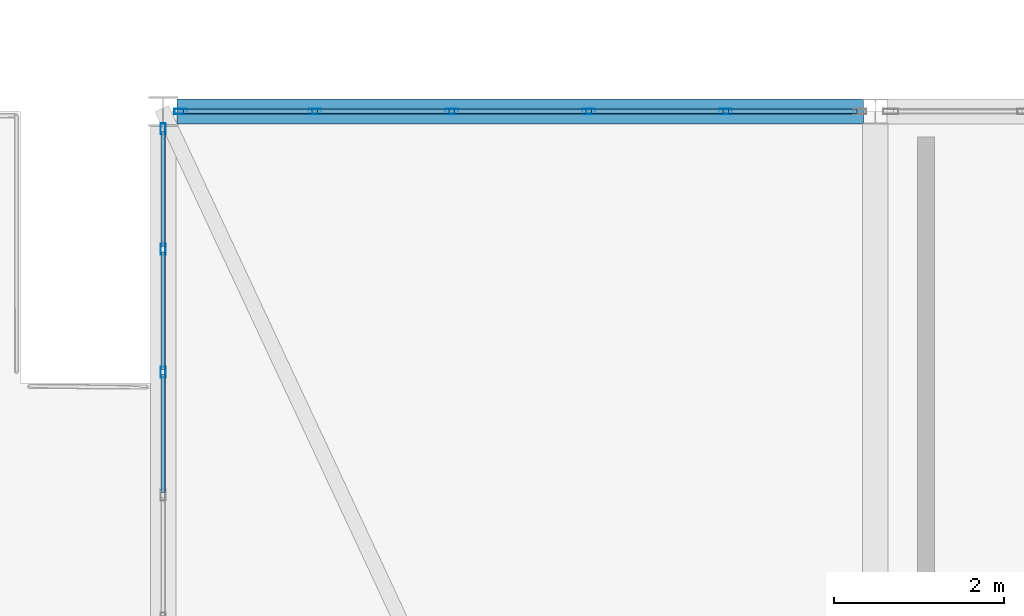
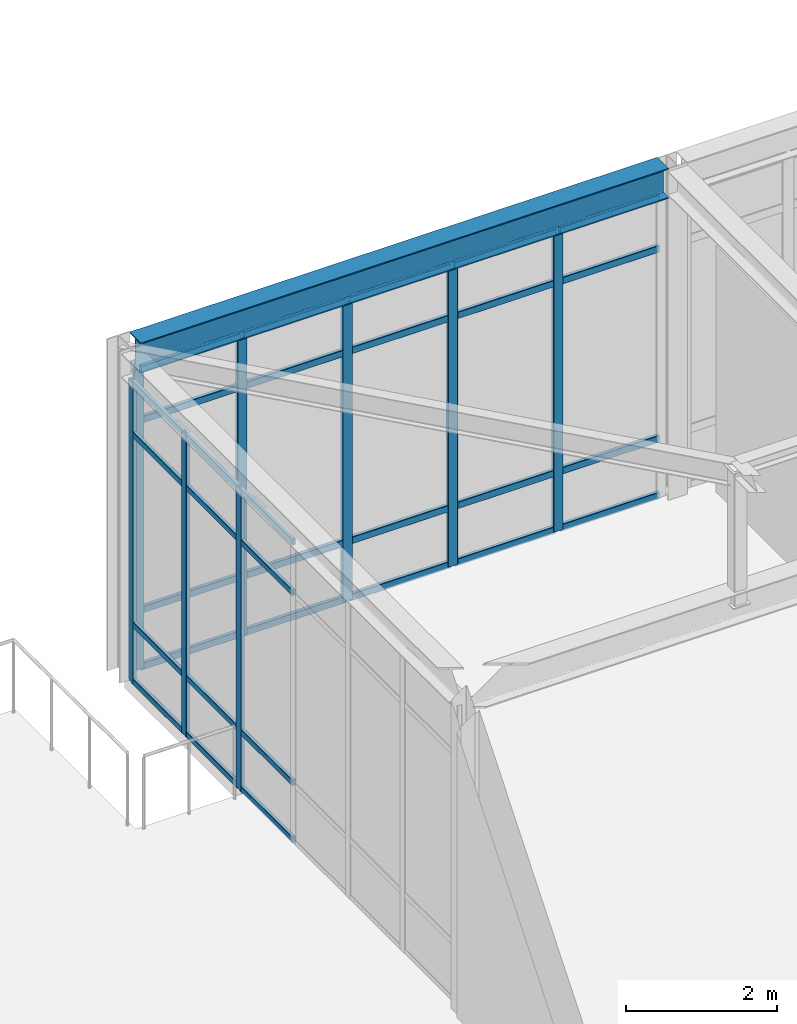
# One storey, part 66 of 121: 40 members, 1 beam, 2 elements without a shape of their own.
"""IFC4 building model written with IfcOpenShell, lengths in metres."""

from ifc_helpers import new_model, si_unit, direction, frame, origin, origin_2d, place, context, subcontext, project, spatial, hollow_rectangle, i_section, extrude, material, material_profile, profile_set, type_object, element, aggregate, save


model = new_model("IFC4")

# Units and contexts
model_context = context("Model", 3, precision=1e-05, world=origin(), true_north=direction((0.0, 1.0)))
body_context = subcontext(model_context, "Body", "Model", "MODEL_VIEW")
ifc_project = project(units=[si_unit("LENGTHUNIT", "METRE"), si_unit("AREAUNIT", "SQUARE_METRE"), si_unit("VOLUMEUNIT", "CUBIC_METRE"), si_unit("PLANEANGLEUNIT", "RADIAN"), si_unit("MASSUNIT", "GRAM", prefix="KILO")], contexts=[model_context])

# Site, building, storey
site_placement = place(None, origin())
site = spatial("IfcSite", under=ifc_project, at=site_placement, CompositionType="ELEMENT")
building_placement = place(site_placement, origin())
building = spatial("IfcBuilding", under=site, at=building_placement, Name="Canglan Escarpment Cableway Terminal", CompositionType="ELEMENT")
storey_placement = place(building_placement, frame((0.0, 0.0, 24.60009765625)))
storey = spatial("IfcBuildingStorey", under=building, at=storey_placement, Name="L05", CompositionType="ELEMENT", Elevation=24.60009765625)

# Beam
ifc_material_1 = material(Name="Steel Q355B", Category="steel")
ifc_material_profile_1 = material_profile(ifc_material_1, i_section(OverallWidth=0.300048828125, OverallDepth=0.488037109375, WebThickness=0.010986328125, FlangeThickness=0.01806640625, FilletRadius=0.02587890625, at=origin_2d()), Name="HM 488x300x11x18")
ifc_profile_set_1 = profile_set([ifc_material_profile_1], Name="Steel Q355B")
beam_type = type_object("IfcBeamType", Name="BM-HM488", PredefinedType="BEAM", material=ifc_profile_set_1)
beam_placement = place(storey_placement, frame((120.06494140625, 115.0, 5.139892578125), z_axis=(1.0, 0.0, 0.0), x_axis=(0.0, 1.0, 0.0)))
element("IfcBeam", 1, at=beam_placement, inside=storey, type_object=beam_type, Name="Drive House roof eave tie girder B-09", PredefinedType="BEAM", context=body_context, shape_type="SweptSolid", body=[
    extrude(i_section(OverallWidth=0.300048828125, OverallDepth=0.488037109375, WebThickness=0.010986328125, FlangeThickness=0.01806640625, FilletRadius=0.02587890625, at=origin_2d()), origin(), (0.0, 0.0, 1.0), 8.094970703125),
])

# Curtain wall, members
ifc_material_2 = material(Name="Anodized bronze aluminium and Low-E double glazing", Category="aluminium")
curtain_wall_type_1 = type_object("IfcCurtainWallType", Name="CW-BAY-8700x4875", PredefinedType="NOTDEFINED", material=ifc_material_2)
curtain_wall_1_placement = place(storey_placement, origin())
curtain_wall_1 = element("IfcCurtainWall", 2, at=curtain_wall_1_placement, inside=storey, type_object=curtain_wall_type_1, Name="Classical bay-between-piers glazed curtain wall CW-61", PredefinedType="NOTDEFINED")
ifc_material_3 = material(Name="Thermally broken anodized aluminium 6063-T6", Category="aluminium")
ifc_material_profile_2 = material_profile(ifc_material_3, hollow_rectangle(XDim=0.06005859375, YDim=0.1298828125, WallThickness=0.0029296875, InnerFilletRadius=0.0029296875, OuterFilletRadius=0.006103515625, at=origin_2d()), Name="ALU-MULL 60x130x3")
ifc_profile_set_2 = profile_set([ifc_material_profile_2], Name="Thermally broken anodized aluminium 6063-T6")
member_type_1 = type_object("IfcMemberType", Name="CWM-01", PredefinedType="MULLION", material=ifc_profile_set_2)
member_1_placement = place(storey_placement, frame((119.89990234375, 114.794921875, 0.0), z_axis=(0.0, 0.0, 1.0), x_axis=(1.0, 0.0, 0.0)))
member_1 = element("IfcMember", 3, at=member_1_placement, type_object=member_type_1, Name="CW-61 mullion 1", PredefinedType="MULLION", context=body_context, shape_type="SweptSolid", body=[
    extrude(hollow_rectangle(XDim=0.06005859375, YDim=0.1298828125, WallThickness=0.0029296875, InnerFilletRadius=0.0029296875, OuterFilletRadius=0.006103515625, at=origin_2d()), origin(), (0.0, 0.0, 1.0), 4.880859375),
])
member_2_placement = place(storey_placement, frame((119.89990234375, 113.375, 0.0), z_axis=(0.0, 0.0, 1.0), x_axis=(1.0, 0.0, 0.0)))
member_2 = element("IfcMember", 4, at=member_2_placement, type_object=member_type_1, Name="CW-61 mullion 2", PredefinedType="MULLION", context=body_context, shape_type="SweptSolid", body=[
    extrude(hollow_rectangle(XDim=0.06005859375, YDim=0.1298828125, WallThickness=0.0029296875, InnerFilletRadius=0.0029296875, OuterFilletRadius=0.006103515625, at=origin_2d()), origin(), (0.0, 0.0, 1.0), 4.880859375),
])
member_3_placement = place(storey_placement, frame((119.89990234375, 111.925048828125, 0.0), z_axis=(0.0, 0.0, 1.0), x_axis=(1.0, 0.0, 0.0)))
member_3 = element("IfcMember", 5, at=member_3_placement, type_object=member_type_1, Name="CW-61 mullion 3", PredefinedType="MULLION", context=body_context, shape_type="SweptSolid", body=[
    extrude(hollow_rectangle(XDim=0.06005859375, YDim=0.1298828125, WallThickness=0.0029296875, InnerFilletRadius=0.0029296875, OuterFilletRadius=0.006103515625, at=origin_2d()), origin(), (0.0, 0.0, 1.0), 4.880859375),
])

curtain_wall_type_2 = type_object("IfcCurtainWallType", Name="CW-BAY-8075x4875", PredefinedType="NOTDEFINED", material=ifc_material_2)
curtain_wall_2_placement = place(storey_placement, origin())
curtain_wall_2 = element("IfcCurtainWall", 6, at=curtain_wall_2_placement, inside=storey, type_object=curtain_wall_type_2, Name="Classical bay-between-piers glazed curtain wall CW-59", PredefinedType="NOTDEFINED")
ifc_material_profile_3 = material_profile(ifc_material_3, hollow_rectangle(XDim=0.06494140625, YDim=0.14990234375, WallThickness=0.00341796875, InnerFilletRadius=0.00341796875, OuterFilletRadius=0.007080078125, at=origin_2d()), Name="ALU-MULL 65x150x3.5")
ifc_profile_set_3 = profile_set([ifc_material_profile_3], Name="Thermally broken anodized aluminium 6063-T6")
member_type_2 = type_object("IfcMemberType", Name="CWM-02", PredefinedType="MULLION", material=ifc_profile_set_3)
member_4_placement = place(storey_placement, frame((126.534912109375, 115.0, 0.0), z_axis=(0.0, 0.0, 1.0), x_axis=(0.0, -1.0, 0.0)))
member_4 = element("IfcMember", 7, at=member_4_placement, type_object=member_type_2, Name="CW-59 mullion 2", PredefinedType="MULLION", context=body_context, shape_type="SweptSolid", body=[
    extrude(hollow_rectangle(XDim=0.06494140625, YDim=0.14990234375, WallThickness=0.00341796875, InnerFilletRadius=0.00341796875, OuterFilletRadius=0.007080078125, at=origin_2d()), origin(), (0.0, 0.0, 1.0), 4.880859375),
])
member_5_placement = place(storey_placement, frame((124.919921875, 115.0, 0.0), z_axis=(0.0, 0.0, 1.0), x_axis=(0.0, -1.0, 0.0)))
member_5 = element("IfcMember", 8, at=member_5_placement, type_object=member_type_2, Name="CW-59 mullion 3", PredefinedType="MULLION", context=body_context, shape_type="SweptSolid", body=[
    extrude(hollow_rectangle(XDim=0.06494140625, YDim=0.14990234375, WallThickness=0.00341796875, InnerFilletRadius=0.00341796875, OuterFilletRadius=0.007080078125, at=origin_2d()), origin(), (0.0, 0.0, 1.0), 4.880859375),
])
member_6_placement = place(storey_placement, frame((123.304931640625, 115.0, 0.0), z_axis=(0.0, 0.0, 1.0), x_axis=(0.0, -1.0, 0.0)))
member_6 = element("IfcMember", 9, at=member_6_placement, type_object=member_type_2, Name="CW-59 mullion 4", PredefinedType="MULLION", context=body_context, shape_type="SweptSolid", body=[
    extrude(hollow_rectangle(XDim=0.06494140625, YDim=0.14990234375, WallThickness=0.00341796875, InnerFilletRadius=0.00341796875, OuterFilletRadius=0.007080078125, at=origin_2d()), origin(), (0.0, 0.0, 1.0), 4.880859375),
])
member_7_placement = place(storey_placement, frame((121.68994140625, 115.0, 0.0), z_axis=(0.0, 0.0, 1.0), x_axis=(0.0, -1.0, 0.0)))
member_7 = element("IfcMember", 10, at=member_7_placement, type_object=member_type_2, Name="CW-59 mullion 5", PredefinedType="MULLION", context=body_context, shape_type="SweptSolid", body=[
    extrude(hollow_rectangle(XDim=0.06494140625, YDim=0.14990234375, WallThickness=0.00341796875, InnerFilletRadius=0.00341796875, OuterFilletRadius=0.007080078125, at=origin_2d()), origin(), (0.0, 0.0, 1.0), 4.880859375),
])
member_8_placement = place(storey_placement, frame((120.107421875, 115.0, 0.0), z_axis=(0.0, 0.0, 1.0), x_axis=(0.0, -1.0, 0.0)))
member_8 = element("IfcMember", 11, at=member_8_placement, type_object=member_type_2, Name="CW-59 mullion 6", PredefinedType="MULLION", context=body_context, shape_type="SweptSolid", body=[
    extrude(hollow_rectangle(XDim=0.06494140625, YDim=0.14990234375, WallThickness=0.00341796875, InnerFilletRadius=0.00341796875, OuterFilletRadius=0.007080078125, at=origin_2d()), origin(), (0.0, 0.0, 1.0), 4.880859375),
])

# Member
ifc_material_profile_4 = material_profile(ifc_material_3, hollow_rectangle(XDim=0.054931640625, YDim=0.094970703125, WallThickness=0.0029296875, InnerFilletRadius=0.0029296875, OuterFilletRadius=0.006103515625, at=origin_2d()), Name="ALU-TRAN 55x95x3")
ifc_profile_set_4 = profile_set([ifc_material_profile_4], Name="Thermally broken anodized aluminium 6063-T6")
member_type_3 = type_object("IfcMemberType", Name="CWT-01", PredefinedType="USERDEFINED", material=ifc_profile_set_4)
member_9_placement = place(storey_placement, frame((119.89990234375, 114.764892578125, 0.02734375), z_axis=(0.0, -1.0, 0.0), x_axis=(1.0, 0.0, 0.0)))
member_9 = element("IfcMember", 12, at=member_9_placement, type_object=member_type_3, Name="CW-61 transom 1.1", ObjectType="TRANSOM", PredefinedType="USERDEFINED", context=body_context, shape_type="SweptSolid", body=[
    extrude(hollow_rectangle(XDim=0.054931640625, YDim=0.094970703125, WallThickness=0.0029296875, InnerFilletRadius=0.0029296875, OuterFilletRadius=0.006103515625, at=origin_2d()), origin(), (0.0, 0.0, 1.0), 1.35986328125),
])

member_10_placement = place(storey_placement, frame((119.89990234375, 114.764892578125, 0.949951171875), z_axis=(0.0, -1.0, 0.0), x_axis=(1.0, 0.0, 0.0)))
member_10 = element("IfcMember", 13, at=member_10_placement, type_object=member_type_3, Name="CW-61 transom 1.2", ObjectType="TRANSOM", PredefinedType="USERDEFINED", context=body_context, shape_type="SweptSolid", body=[
    extrude(hollow_rectangle(XDim=0.054931640625, YDim=0.094970703125, WallThickness=0.0029296875, InnerFilletRadius=0.0029296875, OuterFilletRadius=0.006103515625, at=origin_2d()), origin(), (0.0, 0.0, 1.0), 1.35986328125),
])

member_11_placement = place(storey_placement, frame((119.89990234375, 114.764892578125, 4.031005859375), z_axis=(0.0, -1.0, 0.0), x_axis=(1.0, 0.0, 0.0)))
member_11 = element("IfcMember", 14, at=member_11_placement, type_object=member_type_3, Name="CW-61 transom 1.3", ObjectType="TRANSOM", PredefinedType="USERDEFINED", context=body_context, shape_type="SweptSolid", body=[
    extrude(hollow_rectangle(XDim=0.054931640625, YDim=0.094970703125, WallThickness=0.0029296875, InnerFilletRadius=0.0029296875, OuterFilletRadius=0.006103515625, at=origin_2d()), origin(), (0.0, 0.0, 1.0), 1.35986328125),
])

member_12_placement = place(storey_placement, frame((119.89990234375, 114.764892578125, 4.853515625), z_axis=(0.0, -1.0, 0.0), x_axis=(1.0, 0.0, 0.0)))
member_12 = element("IfcMember", 15, at=member_12_placement, type_object=member_type_3, Name="CW-61 transom 1.4", ObjectType="TRANSOM", PredefinedType="USERDEFINED", context=body_context, shape_type="SweptSolid", body=[
    extrude(hollow_rectangle(XDim=0.054931640625, YDim=0.094970703125, WallThickness=0.0029296875, InnerFilletRadius=0.0029296875, OuterFilletRadius=0.006103515625, at=origin_2d()), origin(), (0.0, 0.0, 1.0), 1.35986328125),
])

member_13_placement = place(storey_placement, frame((119.89990234375, 113.344970703125, 0.02734375), z_axis=(0.0, -1.0, 0.0), x_axis=(1.0, 0.0, 0.0)))
member_13 = element("IfcMember", 16, at=member_13_placement, type_object=member_type_3, Name="CW-61 transom 2.1", ObjectType="TRANSOM", PredefinedType="USERDEFINED", context=body_context, shape_type="SweptSolid", body=[
    extrude(hollow_rectangle(XDim=0.054931640625, YDim=0.094970703125, WallThickness=0.0029296875, InnerFilletRadius=0.0029296875, OuterFilletRadius=0.006103515625, at=origin_2d()), origin(), (0.0, 0.0, 1.0), 1.389892578125),
])

member_14_placement = place(storey_placement, frame((119.89990234375, 113.344970703125, 0.949951171875), z_axis=(0.0, -1.0, 0.0), x_axis=(1.0, 0.0, 0.0)))
member_14 = element("IfcMember", 17, at=member_14_placement, type_object=member_type_3, Name="CW-61 transom 2.2", ObjectType="TRANSOM", PredefinedType="USERDEFINED", context=body_context, shape_type="SweptSolid", body=[
    extrude(hollow_rectangle(XDim=0.054931640625, YDim=0.094970703125, WallThickness=0.0029296875, InnerFilletRadius=0.0029296875, OuterFilletRadius=0.006103515625, at=origin_2d()), origin(), (0.0, 0.0, 1.0), 1.389892578125),
])

member_15_placement = place(storey_placement, frame((119.89990234375, 113.344970703125, 4.031005859375), z_axis=(0.0, -1.0, 0.0), x_axis=(1.0, 0.0, 0.0)))
member_15 = element("IfcMember", 18, at=member_15_placement, type_object=member_type_3, Name="CW-61 transom 2.3", ObjectType="TRANSOM", PredefinedType="USERDEFINED", context=body_context, shape_type="SweptSolid", body=[
    extrude(hollow_rectangle(XDim=0.054931640625, YDim=0.094970703125, WallThickness=0.0029296875, InnerFilletRadius=0.0029296875, OuterFilletRadius=0.006103515625, at=origin_2d()), origin(), (0.0, 0.0, 1.0), 1.389892578125),
])

member_16_placement = place(storey_placement, frame((119.89990234375, 113.344970703125, 4.853515625), z_axis=(0.0, -1.0, 0.0), x_axis=(1.0, 0.0, 0.0)))
member_16 = element("IfcMember", 19, at=member_16_placement, type_object=member_type_3, Name="CW-61 transom 2.4", ObjectType="TRANSOM", PredefinedType="USERDEFINED", context=body_context, shape_type="SweptSolid", body=[
    extrude(hollow_rectangle(XDim=0.054931640625, YDim=0.094970703125, WallThickness=0.0029296875, InnerFilletRadius=0.0029296875, OuterFilletRadius=0.006103515625, at=origin_2d()), origin(), (0.0, 0.0, 1.0), 1.389892578125),
])

member_17_placement = place(storey_placement, frame((119.89990234375, 111.89501953125, 0.02734375), z_axis=(0.0, -1.0, 0.0), x_axis=(1.0, 0.0, 0.0)))
member_17 = element("IfcMember", 20, at=member_17_placement, type_object=member_type_3, Name="CW-61 transom 3.1", ObjectType="TRANSOM", PredefinedType="USERDEFINED", context=body_context, shape_type="SweptSolid", body=[
    extrude(hollow_rectangle(XDim=0.054931640625, YDim=0.094970703125, WallThickness=0.0029296875, InnerFilletRadius=0.0029296875, OuterFilletRadius=0.006103515625, at=origin_2d()), origin(), (0.0, 0.0, 1.0), 1.39013671875),
])

member_18_placement = place(storey_placement, frame((119.89990234375, 111.89501953125, 0.949951171875), z_axis=(0.0, -1.0, 0.0), x_axis=(1.0, 0.0, 0.0)))
member_18 = element("IfcMember", 21, at=member_18_placement, type_object=member_type_3, Name="CW-61 transom 3.2", ObjectType="TRANSOM", PredefinedType="USERDEFINED", context=body_context, shape_type="SweptSolid", body=[
    extrude(hollow_rectangle(XDim=0.054931640625, YDim=0.094970703125, WallThickness=0.0029296875, InnerFilletRadius=0.0029296875, OuterFilletRadius=0.006103515625, at=origin_2d()), origin(), (0.0, 0.0, 1.0), 1.39013671875),
])

member_19_placement = place(storey_placement, frame((119.89990234375, 111.89501953125, 4.031005859375), z_axis=(0.0, -1.0, 0.0), x_axis=(1.0, 0.0, 0.0)))
member_19 = element("IfcMember", 22, at=member_19_placement, type_object=member_type_3, Name="CW-61 transom 3.3", ObjectType="TRANSOM", PredefinedType="USERDEFINED", context=body_context, shape_type="SweptSolid", body=[
    extrude(hollow_rectangle(XDim=0.054931640625, YDim=0.094970703125, WallThickness=0.0029296875, InnerFilletRadius=0.0029296875, OuterFilletRadius=0.006103515625, at=origin_2d()), origin(), (0.0, 0.0, 1.0), 1.39013671875),
])

member_20_placement = place(storey_placement, frame((119.89990234375, 111.89501953125, 4.853515625), z_axis=(0.0, -1.0, 0.0), x_axis=(1.0, 0.0, 0.0)))
member_20 = element("IfcMember", 23, at=member_20_placement, type_object=member_type_3, Name="CW-61 transom 3.4", ObjectType="TRANSOM", PredefinedType="USERDEFINED", context=body_context, shape_type="SweptSolid", body=[
    extrude(hollow_rectangle(XDim=0.054931640625, YDim=0.094970703125, WallThickness=0.0029296875, InnerFilletRadius=0.0029296875, OuterFilletRadius=0.006103515625, at=origin_2d()), origin(), (0.0, 0.0, 1.0), 1.39013671875),
])

aggregate(curtain_wall_1, [member_1, member_2, member_3, member_9, member_10, member_11, member_12, member_13, member_14, member_15, member_16, member_17, member_18, member_19, member_20])

ifc_material_profile_5 = material_profile(ifc_material_3, hollow_rectangle(XDim=0.06005859375, YDim=0.110107421875, WallThickness=0.0029296875, InnerFilletRadius=0.0029296875, OuterFilletRadius=0.006103515625, at=origin_2d()), Name="ALU-TRAN 60x110x3")
ifc_profile_set_5 = profile_set([ifc_material_profile_5], Name="Thermally broken anodized aluminium 6063-T6")
member_type_4 = type_object("IfcMemberType", Name="CWT-02", PredefinedType="USERDEFINED", material=ifc_profile_set_5)
member_21_placement = place(storey_placement, frame((128.0849609375, 115.0, 0.02978515625), z_axis=(-1.0, 0.0, 0.0), x_axis=(0.0, -1.0, 0.0)))
member_21 = element("IfcMember", 24, at=member_21_placement, type_object=member_type_4, Name="CW-59 transom 1.1", ObjectType="TRANSOM", PredefinedType="USERDEFINED", context=body_context, shape_type="SweptSolid", body=[
    extrude(hollow_rectangle(XDim=0.06005859375, YDim=0.110107421875, WallThickness=0.0029296875, InnerFilletRadius=0.0029296875, OuterFilletRadius=0.006103515625, at=origin_2d()), origin(), (0.0, 0.0, 1.0), 1.517578125),
])

member_22_placement = place(storey_placement, frame((128.0849609375, 115.0, 0.949951171875), z_axis=(-1.0, 0.0, 0.0), x_axis=(0.0, -1.0, 0.0)))
member_22 = element("IfcMember", 25, at=member_22_placement, type_object=member_type_4, Name="CW-59 transom 1.2", ObjectType="TRANSOM", PredefinedType="USERDEFINED", context=body_context, shape_type="SweptSolid", body=[
    extrude(hollow_rectangle(XDim=0.06005859375, YDim=0.110107421875, WallThickness=0.0029296875, InnerFilletRadius=0.0029296875, OuterFilletRadius=0.006103515625, at=origin_2d()), origin(), (0.0, 0.0, 1.0), 1.517578125),
])

member_23_placement = place(storey_placement, frame((128.0849609375, 115.0, 4.031005859375), z_axis=(-1.0, 0.0, 0.0), x_axis=(0.0, -1.0, 0.0)))
member_23 = element("IfcMember", 26, at=member_23_placement, type_object=member_type_4, Name="CW-59 transom 1.3", ObjectType="TRANSOM", PredefinedType="USERDEFINED", context=body_context, shape_type="SweptSolid", body=[
    extrude(hollow_rectangle(XDim=0.06005859375, YDim=0.110107421875, WallThickness=0.0029296875, InnerFilletRadius=0.0029296875, OuterFilletRadius=0.006103515625, at=origin_2d()), origin(), (0.0, 0.0, 1.0), 1.517578125),
])

member_24_placement = place(storey_placement, frame((128.0849609375, 115.0, 4.850830078125), z_axis=(-1.0, 0.0, 0.0), x_axis=(0.0, -1.0, 0.0)))
member_24 = element("IfcMember", 27, at=member_24_placement, type_object=member_type_4, Name="CW-59 transom 1.4", ObjectType="TRANSOM", PredefinedType="USERDEFINED", context=body_context, shape_type="SweptSolid", body=[
    extrude(hollow_rectangle(XDim=0.06005859375, YDim=0.110107421875, WallThickness=0.0029296875, InnerFilletRadius=0.0029296875, OuterFilletRadius=0.006103515625, at=origin_2d()), origin(), (0.0, 0.0, 1.0), 1.517578125),
])

member_25_placement = place(storey_placement, frame((126.50244140625, 115.0, 0.02978515625), z_axis=(-1.0, 0.0, 0.0), x_axis=(0.0, -1.0, 0.0)))
member_25 = element("IfcMember", 28, at=member_25_placement, type_object=member_type_4, Name="CW-59 transom 2.1", ObjectType="TRANSOM", PredefinedType="USERDEFINED", context=body_context, shape_type="SweptSolid", body=[
    extrude(hollow_rectangle(XDim=0.06005859375, YDim=0.110107421875, WallThickness=0.0029296875, InnerFilletRadius=0.0029296875, OuterFilletRadius=0.006103515625, at=origin_2d()), origin(), (0.0, 0.0, 1.0), 1.550048828125),
])

member_26_placement = place(storey_placement, frame((126.50244140625, 115.0, 0.949951171875), z_axis=(-1.0, 0.0, 0.0), x_axis=(0.0, -1.0, 0.0)))
member_26 = element("IfcMember", 29, at=member_26_placement, type_object=member_type_4, Name="CW-59 transom 2.2", ObjectType="TRANSOM", PredefinedType="USERDEFINED", context=body_context, shape_type="SweptSolid", body=[
    extrude(hollow_rectangle(XDim=0.06005859375, YDim=0.110107421875, WallThickness=0.0029296875, InnerFilletRadius=0.0029296875, OuterFilletRadius=0.006103515625, at=origin_2d()), origin(), (0.0, 0.0, 1.0), 1.550048828125),
])

member_27_placement = place(storey_placement, frame((126.50244140625, 115.0, 4.031005859375), z_axis=(-1.0, 0.0, 0.0), x_axis=(0.0, -1.0, 0.0)))
member_27 = element("IfcMember", 30, at=member_27_placement, type_object=member_type_4, Name="CW-59 transom 2.3", ObjectType="TRANSOM", PredefinedType="USERDEFINED", context=body_context, shape_type="SweptSolid", body=[
    extrude(hollow_rectangle(XDim=0.06005859375, YDim=0.110107421875, WallThickness=0.0029296875, InnerFilletRadius=0.0029296875, OuterFilletRadius=0.006103515625, at=origin_2d()), origin(), (0.0, 0.0, 1.0), 1.550048828125),
])

member_28_placement = place(storey_placement, frame((126.50244140625, 115.0, 4.850830078125), z_axis=(-1.0, 0.0, 0.0), x_axis=(0.0, -1.0, 0.0)))
member_28 = element("IfcMember", 31, at=member_28_placement, type_object=member_type_4, Name="CW-59 transom 2.4", ObjectType="TRANSOM", PredefinedType="USERDEFINED", context=body_context, shape_type="SweptSolid", body=[
    extrude(hollow_rectangle(XDim=0.06005859375, YDim=0.110107421875, WallThickness=0.0029296875, InnerFilletRadius=0.0029296875, OuterFilletRadius=0.006103515625, at=origin_2d()), origin(), (0.0, 0.0, 1.0), 1.550048828125),
])

member_29_placement = place(storey_placement, frame((124.887451171875, 115.0, 0.02978515625), z_axis=(-1.0, 0.0, 0.0), x_axis=(0.0, -1.0, 0.0)))
member_29 = element("IfcMember", 32, at=member_29_placement, type_object=member_type_4, Name="CW-59 transom 3.1", ObjectType="TRANSOM", PredefinedType="USERDEFINED", context=body_context, shape_type="SweptSolid", body=[
    extrude(hollow_rectangle(XDim=0.06005859375, YDim=0.110107421875, WallThickness=0.0029296875, InnerFilletRadius=0.0029296875, OuterFilletRadius=0.006103515625, at=origin_2d()), origin(), (0.0, 0.0, 1.0), 1.550048828125),
])

member_30_placement = place(storey_placement, frame((124.887451171875, 115.0, 0.949951171875), z_axis=(-1.0, 0.0, 0.0), x_axis=(0.0, -1.0, 0.0)))
member_30 = element("IfcMember", 33, at=member_30_placement, type_object=member_type_4, Name="CW-59 transom 3.2", ObjectType="TRANSOM", PredefinedType="USERDEFINED", context=body_context, shape_type="SweptSolid", body=[
    extrude(hollow_rectangle(XDim=0.06005859375, YDim=0.110107421875, WallThickness=0.0029296875, InnerFilletRadius=0.0029296875, OuterFilletRadius=0.006103515625, at=origin_2d()), origin(), (0.0, 0.0, 1.0), 1.550048828125),
])

member_31_placement = place(storey_placement, frame((124.887451171875, 115.0, 4.031005859375), z_axis=(-1.0, 0.0, 0.0), x_axis=(0.0, -1.0, 0.0)))
member_31 = element("IfcMember", 34, at=member_31_placement, type_object=member_type_4, Name="CW-59 transom 3.3", ObjectType="TRANSOM", PredefinedType="USERDEFINED", context=body_context, shape_type="SweptSolid", body=[
    extrude(hollow_rectangle(XDim=0.06005859375, YDim=0.110107421875, WallThickness=0.0029296875, InnerFilletRadius=0.0029296875, OuterFilletRadius=0.006103515625, at=origin_2d()), origin(), (0.0, 0.0, 1.0), 1.550048828125),
])

member_32_placement = place(storey_placement, frame((124.887451171875, 115.0, 4.850830078125), z_axis=(-1.0, 0.0, 0.0), x_axis=(0.0, -1.0, 0.0)))
member_32 = element("IfcMember", 35, at=member_32_placement, type_object=member_type_4, Name="CW-59 transom 3.4", ObjectType="TRANSOM", PredefinedType="USERDEFINED", context=body_context, shape_type="SweptSolid", body=[
    extrude(hollow_rectangle(XDim=0.06005859375, YDim=0.110107421875, WallThickness=0.0029296875, InnerFilletRadius=0.0029296875, OuterFilletRadius=0.006103515625, at=origin_2d()), origin(), (0.0, 0.0, 1.0), 1.550048828125),
])

member_33_placement = place(storey_placement, frame((123.2724609375, 115.0, 0.02978515625), z_axis=(-1.0, 0.0, 0.0), x_axis=(0.0, -1.0, 0.0)))
member_33 = element("IfcMember", 36, at=member_33_placement, type_object=member_type_4, Name="CW-59 transom 4.1", ObjectType="TRANSOM", PredefinedType="USERDEFINED", context=body_context, shape_type="SweptSolid", body=[
    extrude(hollow_rectangle(XDim=0.06005859375, YDim=0.110107421875, WallThickness=0.0029296875, InnerFilletRadius=0.0029296875, OuterFilletRadius=0.006103515625, at=origin_2d()), origin(), (0.0, 0.0, 1.0), 1.550048828125),
])

member_34_placement = place(storey_placement, frame((123.2724609375, 115.0, 0.949951171875), z_axis=(-1.0, 0.0, 0.0), x_axis=(0.0, -1.0, 0.0)))
member_34 = element("IfcMember", 37, at=member_34_placement, type_object=member_type_4, Name="CW-59 transom 4.2", ObjectType="TRANSOM", PredefinedType="USERDEFINED", context=body_context, shape_type="SweptSolid", body=[
    extrude(hollow_rectangle(XDim=0.06005859375, YDim=0.110107421875, WallThickness=0.0029296875, InnerFilletRadius=0.0029296875, OuterFilletRadius=0.006103515625, at=origin_2d()), origin(), (0.0, 0.0, 1.0), 1.550048828125),
])

member_35_placement = place(storey_placement, frame((123.2724609375, 115.0, 4.031005859375), z_axis=(-1.0, 0.0, 0.0), x_axis=(0.0, -1.0, 0.0)))
member_35 = element("IfcMember", 38, at=member_35_placement, type_object=member_type_4, Name="CW-59 transom 4.3", ObjectType="TRANSOM", PredefinedType="USERDEFINED", context=body_context, shape_type="SweptSolid", body=[
    extrude(hollow_rectangle(XDim=0.06005859375, YDim=0.110107421875, WallThickness=0.0029296875, InnerFilletRadius=0.0029296875, OuterFilletRadius=0.006103515625, at=origin_2d()), origin(), (0.0, 0.0, 1.0), 1.550048828125),
])

member_36_placement = place(storey_placement, frame((123.2724609375, 115.0, 4.850830078125), z_axis=(-1.0, 0.0, 0.0), x_axis=(0.0, -1.0, 0.0)))
member_36 = element("IfcMember", 39, at=member_36_placement, type_object=member_type_4, Name="CW-59 transom 4.4", ObjectType="TRANSOM", PredefinedType="USERDEFINED", context=body_context, shape_type="SweptSolid", body=[
    extrude(hollow_rectangle(XDim=0.06005859375, YDim=0.110107421875, WallThickness=0.0029296875, InnerFilletRadius=0.0029296875, OuterFilletRadius=0.006103515625, at=origin_2d()), origin(), (0.0, 0.0, 1.0), 1.550048828125),
])

member_37_placement = place(storey_placement, frame((121.657470703125, 115.0, 0.02978515625), z_axis=(-1.0, 0.0, 0.0), x_axis=(0.0, -1.0, 0.0)))
member_37 = element("IfcMember", 40, at=member_37_placement, type_object=member_type_4, Name="CW-59 transom 5.1", ObjectType="TRANSOM", PredefinedType="USERDEFINED", context=body_context, shape_type="SweptSolid", body=[
    extrude(hollow_rectangle(XDim=0.06005859375, YDim=0.110107421875, WallThickness=0.0029296875, InnerFilletRadius=0.0029296875, OuterFilletRadius=0.006103515625, at=origin_2d()), origin(), (0.0, 0.0, 1.0), 1.517578125),
])

member_38_placement = place(storey_placement, frame((121.657470703125, 115.0, 0.949951171875), z_axis=(-1.0, 0.0, 0.0), x_axis=(0.0, -1.0, 0.0)))
member_38 = element("IfcMember", 41, at=member_38_placement, type_object=member_type_4, Name="CW-59 transom 5.2", ObjectType="TRANSOM", PredefinedType="USERDEFINED", context=body_context, shape_type="SweptSolid", body=[
    extrude(hollow_rectangle(XDim=0.06005859375, YDim=0.110107421875, WallThickness=0.0029296875, InnerFilletRadius=0.0029296875, OuterFilletRadius=0.006103515625, at=origin_2d()), origin(), (0.0, 0.0, 1.0), 1.517578125),
])

member_39_placement = place(storey_placement, frame((121.657470703125, 115.0, 4.031005859375), z_axis=(-1.0, 0.0, 0.0), x_axis=(0.0, -1.0, 0.0)))
member_39 = element("IfcMember", 42, at=member_39_placement, type_object=member_type_4, Name="CW-59 transom 5.3", ObjectType="TRANSOM", PredefinedType="USERDEFINED", context=body_context, shape_type="SweptSolid", body=[
    extrude(hollow_rectangle(XDim=0.06005859375, YDim=0.110107421875, WallThickness=0.0029296875, InnerFilletRadius=0.0029296875, OuterFilletRadius=0.006103515625, at=origin_2d()), origin(), (0.0, 0.0, 1.0), 1.517578125),
])

member_40_placement = place(storey_placement, frame((121.657470703125, 115.0, 4.850830078125), z_axis=(-1.0, 0.0, 0.0), x_axis=(0.0, -1.0, 0.0)))
member_40 = element("IfcMember", 43, at=member_40_placement, type_object=member_type_4, Name="CW-59 transom 5.4", ObjectType="TRANSOM", PredefinedType="USERDEFINED", context=body_context, shape_type="SweptSolid", body=[
    extrude(hollow_rectangle(XDim=0.06005859375, YDim=0.110107421875, WallThickness=0.0029296875, InnerFilletRadius=0.0029296875, OuterFilletRadius=0.006103515625, at=origin_2d()), origin(), (0.0, 0.0, 1.0), 1.517578125),
])

aggregate(curtain_wall_2, [member_4, member_5, member_6, member_7, member_8, member_21, member_22, member_23, member_24, member_25, member_26, member_27, member_28, member_29, member_30, member_31, member_32, member_33, member_34, member_35, member_36, member_37, member_38, member_39, member_40])

save(model, "model.ifc")
